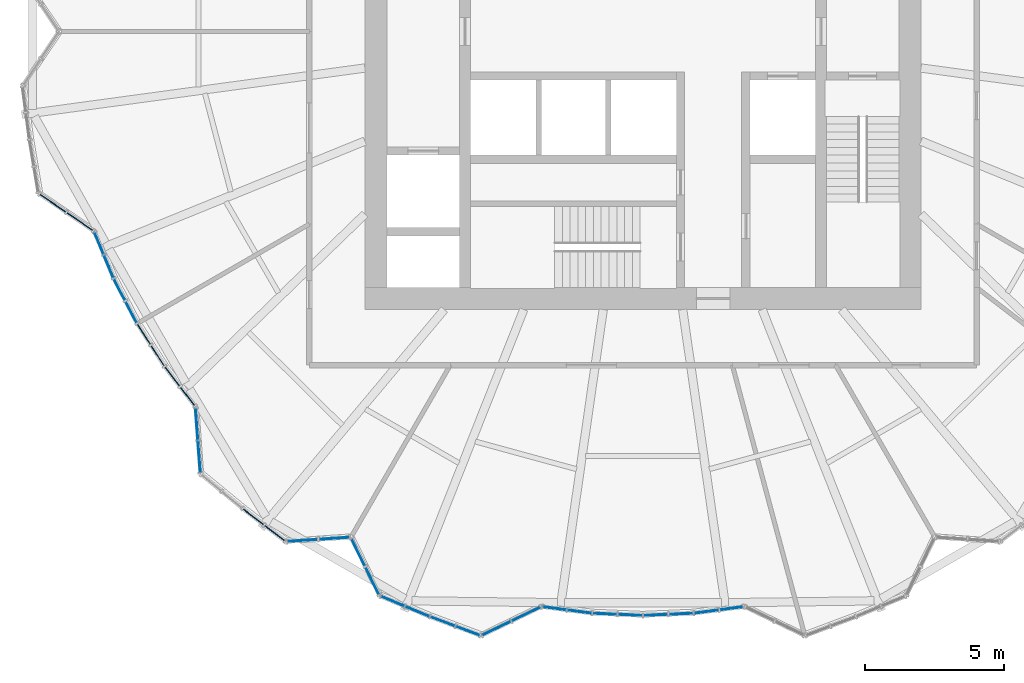
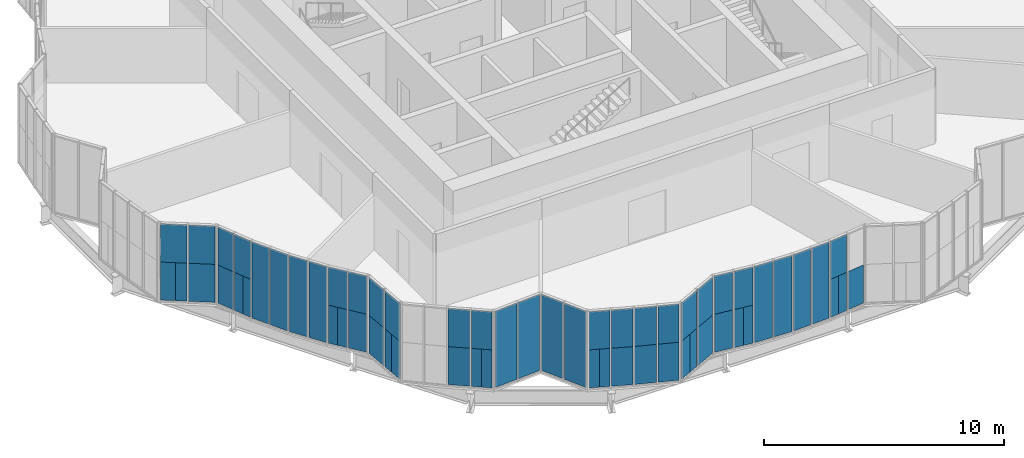
# One storey, part 12 of 22: 60 plates, 16 elements without a shape of their own.
"""IFC4 building model written with IfcOpenShell, lengths in metres."""

from ifc_helpers import new_model, si_unit, direction, frame, origin, origin_2d, place, context, subcontext, project, spatial, rectangle, extrude, material, layer, layer_set, type_object, element, aggregate, save


model = new_model("IFC4")

# Units and contexts
model_context = context("Model", 3, precision=1e-05, world=origin(), true_north=direction((0.0, 1.0)))
body_context = subcontext(model_context, "Body", "Model", "MODEL_VIEW")
ifc_project = project(units=[si_unit("LENGTHUNIT", "METRE"), si_unit("AREAUNIT", "SQUARE_METRE"), si_unit("VOLUMEUNIT", "CUBIC_METRE"), si_unit("PLANEANGLEUNIT", "RADIAN"), si_unit("MASSUNIT", "GRAM", prefix="KILO")], contexts=[model_context])

# Site, building, storey
site_placement = place(None, origin())
site = spatial("IfcSite", under=ifc_project, at=site_placement, CompositionType="ELEMENT")
building_placement = place(site_placement, origin())
building = spatial("IfcBuilding", under=site, at=building_placement, Name="Golbaran Civic Tower", CompositionType="ELEMENT")
storey_placement = place(building_placement, frame((0.0, 0.0, 29.0)))
storey = spatial("IfcBuildingStorey", under=building, at=storey_placement, Name="L06", CompositionType="ELEMENT", Elevation=29.0)

# Curtain wall, plate
ifc_material_1 = material(Name="Aluminium and glass", Category="aluminium")
curtain_wall_type = type_object("IfcCurtainWallType", Name="INNER SKIN CURTAIN WALL", PredefinedType="NOTDEFINED", material=ifc_material_1)
curtain_wall_1_placement = place(storey_placement, origin())
curtain_wall_1 = element("IfcCurtainWall", 1, at=curtain_wall_1_placement, inside=storey, type_object=curtain_wall_type, Name="Inner skin L06 facet 40 CW1", ObjectType="INNER SKIN", PredefinedType="USERDEFINED")
ifc_material_2 = material(Name="Clear insulating glass", Category="glass")
ifc_layer_1 = layer(ifc_material_2, 0.031982421875, Name="Clear insulating glass")
ifc_layer_set_1 = layer_set([ifc_layer_1], Name="Clear insulating glass")
plate_type_1 = type_object("IfcPlateType", Name="INNER SKIN CURTAIN WALL GLAZED PANEL", PredefinedType="CURTAIN_PANEL", material=ifc_layer_set_1)
plate_1_placement = place(storey_placement, frame((-21.427734375, -6.033447265625, 0.06494140625), z_axis=(0.0, 0.0, 1.0), x_axis=(0.826500245316, -0.562936359185, 0.0)))
plate_1 = element("IfcPlate", 2, at=plate_1_placement, type_object=plate_type_1, Name="CW1 panel 1.1 part 1", PredefinedType="CURTAIN_PANEL", context=body_context, shape_type="SweptSolid", body=[
    extrude(rectangle(XDim=0.614013671875, YDim=0.031982421875, at=origin_2d()), origin(), (0.0, 0.0, 1.0), 1.93505859375),
])

# Curtain wall, plates
curtain_wall_2_placement = place(storey_placement, origin())
curtain_wall_2 = element("IfcCurtainWall", 3, at=curtain_wall_2_placement, inside=storey, type_object=curtain_wall_type, Name="Inner skin L06 facet 41 CW1", ObjectType="INNER SKIN", PredefinedType="USERDEFINED")
plate_2_placement = place(storey_placement, frame((-19.130126953125, -8.652099609375, 0.06494140625), z_axis=(0.0, 0.0, 1.0), x_axis=(0.382683432462, -0.923879532471, 0.0)))
plate_2 = element("IfcPlate", 4, at=plate_2_placement, type_object=plate_type_1, Name="CW1 panel 2.1 part 2", PredefinedType="CURTAIN_PANEL", context=body_context, shape_type="SweptSolid", body=[
    extrude(rectangle(XDim=0.422119140625, YDim=0.031982421875, at=origin_2d()), origin(), (0.0, 0.0, 1.0), 1.93505859375),
])
plate_3_placement = place(storey_placement, frame((-19.21240234375, -8.453857421875, 2.0), z_axis=(0.0, 0.0, 1.0), x_axis=(0.382683432462, -0.923879532471, 0.0)))
plate_3 = element("IfcPlate", 5, at=plate_3_placement, type_object=plate_type_1, Name="CW1 panel 2.1 part 3", PredefinedType="CURTAIN_PANEL", context=body_context, shape_type="SweptSolid", body=[
    extrude(rectangle(XDim=0.851318359375, YDim=0.031982421875, at=origin_2d()), origin(), (0.0, 0.0, 1.0), 1.93505859375),
])

curtain_wall_3_placement = place(storey_placement, origin())
curtain_wall_3 = element("IfcCurtainWall", 6, at=curtain_wall_3_placement, inside=storey, type_object=curtain_wall_type, Name="Inner skin L06 facet 42 CW1", ObjectType="INNER SKIN", PredefinedType="USERDEFINED")
plate_4_placement = place(storey_placement, frame((-18.825439453125, -9.283447265625, 0.06494140625), z_axis=(0.0, 0.0, 1.0), x_axis=(0.461748613607, -0.887010832985, 0.0)))
plate_4 = element("IfcPlate", 7, at=plate_4_placement, type_object=plate_type_1, Name="CW1 panel 1.1", PredefinedType="CURTAIN_PANEL", context=body_context, shape_type="SweptSolid", body=[
    extrude(rectangle(XDim=0.851318359375, YDim=0.031982421875, at=origin_2d()), origin(), (0.0, 0.0, 1.0), 3.8701171875),
])
plate_5_placement = place(storey_placement, frame((-18.40234375, -10.09619140625, 0.06494140625), z_axis=(0.0, 0.0, 1.0), x_axis=(0.461748613607, -0.887010832985, 0.0)))
plate_5 = element("IfcPlate", 8, at=plate_5_placement, type_object=plate_type_1, Name="CW1 panel 2.1", PredefinedType="CURTAIN_PANEL", context=body_context, shape_type="SweptSolid", body=[
    extrude(rectangle(XDim=0.851318359375, YDim=0.031982421875, at=origin_2d()), origin(), (0.0, 0.0, 1.0), 3.8701171875),
])
aggregate(curtain_wall_3, [plate_4, plate_5])

curtain_wall_4_placement = place(storey_placement, origin())
curtain_wall_4 = element("IfcCurtainWall", 9, at=curtain_wall_4_placement, inside=storey, type_object=curtain_wall_type, Name="Inner skin L06 facet 43 CW1", ObjectType="INNER SKIN", PredefinedType="USERDEFINED")
plate_6_placement = place(storey_placement, frame((-17.94482421875, -10.888916015625, 0.06494140625), z_axis=(0.0, 0.0, 1.0), x_axis=(0.537299608155, -0.843391445935, 0.0)))
plate_6 = element("IfcPlate", 10, at=plate_6_placement, type_object=plate_type_1, Name="CW1 panel 1.1", PredefinedType="CURTAIN_PANEL", context=body_context, shape_type="SweptSolid", body=[
    extrude(rectangle(XDim=0.851318359375, YDim=0.031982421875, at=origin_2d()), origin(), (0.0, 0.0, 1.0), 3.8701171875),
])
plate_7_placement = place(storey_placement, frame((-17.452392578125, -11.66162109375, 0.06494140625), z_axis=(0.0, 0.0, 1.0), x_axis=(0.537299608155, -0.843391445935, 0.0)))
plate_7 = element("IfcPlate", 11, at=plate_7_placement, type_object=plate_type_1, Name="CW1 panel 2.1", PredefinedType="CURTAIN_PANEL", context=body_context, shape_type="SweptSolid", body=[
    extrude(rectangle(XDim=0.851318359375, YDim=0.031982421875, at=origin_2d()), origin(), (0.0, 0.0, 1.0), 3.8701171875),
])
aggregate(curtain_wall_4, [plate_6, plate_7])

curtain_wall_5_placement = place(storey_placement, origin())
curtain_wall_5 = element("IfcCurtainWall", 12, at=curtain_wall_5_placement, inside=storey, type_object=curtain_wall_type, Name="Inner skin L06 facet 44 CW1", ObjectType="INNER SKIN", PredefinedType="USERDEFINED")
plate_8_placement = place(storey_placement, frame((-17.05810546875, -12.2412109375, 0.06494140625), z_axis=(0.0, 0.0, 1.0), x_axis=(0.60876142905, -0.793353340259, 0.0)))
plate_8 = element("IfcPlate", 13, at=plate_8_placement, type_object=plate_type_1, Name="CW1 panel 1.1 part 1", PredefinedType="CURTAIN_PANEL", context=body_context, shape_type="SweptSolid", body=[
    extrude(rectangle(XDim=0.422119140625, YDim=0.031982421875, at=origin_2d()), origin(), (0.0, 0.0, 1.0), 1.93505859375),
])
plate_9_placement = place(storey_placement, frame((-16.927490234375, -12.411376953125, 2.0), z_axis=(0.0, 0.0, 1.0), x_axis=(0.60876142905, -0.793353340259, 0.0)))
plate_9 = element("IfcPlate", 14, at=plate_9_placement, type_object=plate_type_1, Name="CW1 panel 1.1 part 3", PredefinedType="CURTAIN_PANEL", context=body_context, shape_type="SweptSolid", body=[
    extrude(rectangle(XDim=0.851318359375, YDim=0.031982421875, at=origin_2d()), origin(), (0.0, 0.0, 1.0), 1.93505859375),
])

# Curtain wall, plate
curtain_wall_6_placement = place(storey_placement, origin())
curtain_wall_6 = element("IfcCurtainWall", 15, at=curtain_wall_6_placement, inside=storey, type_object=curtain_wall_type, Name="Inner skin L06 facet 45 CW1", ObjectType="INNER SKIN", PredefinedType="USERDEFINED")
plate_10_placement = place(storey_placement, frame((-15.93896484375, -15.5400390625, 0.06494140625), z_axis=(0.0, 0.0, 1.0), x_axis=(0.074267065092, -0.997238388272, 0.0)))
plate_10 = element("IfcPlate", 16, at=plate_10_placement, type_object=plate_type_1, Name="CW1 panel 2.1 part 2", PredefinedType="CURTAIN_PANEL", context=body_context, shape_type="SweptSolid", body=[
    extrude(rectangle(XDim=0.614501953125, YDim=0.031982421875, at=origin_2d()), origin(), (0.0, 0.0, 1.0), 1.93505859375),
])

# Curtain wall, plates
curtain_wall_7_placement = place(storey_placement, origin())
curtain_wall_7 = element("IfcCurtainWall", 17, at=curtain_wall_7_placement, inside=storey, type_object=curtain_wall_type, Name="Inner skin L06 facet 47 CW1", ObjectType="INNER SKIN", PredefinedType="USERDEFINED")
plate_11_placement = place(storey_placement, frame((-13.0751953125, -18.172119140625, 0.06494140625), z_axis=(0.0, 0.0, 1.0), x_axis=(0.793353340408, -0.608761428856, 0.0)))
plate_11 = element("IfcPlate", 18, at=plate_11_placement, type_object=plate_type_1, Name="CW1 panel 2.1 part 2", PredefinedType="CURTAIN_PANEL", context=body_context, shape_type="SweptSolid", body=[
    extrude(rectangle(XDim=0.445556640625, YDim=0.031982421875, at=origin_2d()), origin(), (0.0, 0.0, 1.0), 1.93505859375),
])
plate_12_placement = place(storey_placement, frame((-13.247314453125, -18.0400390625, 2.0), z_axis=(0.0, 0.0, 1.0), x_axis=(0.793353340408, -0.608761428856, 0.0)))
plate_12 = element("IfcPlate", 19, at=plate_12_placement, type_object=plate_type_1, Name="CW1 panel 2.1 part 3", PredefinedType="CURTAIN_PANEL", context=body_context, shape_type="SweptSolid", body=[
    extrude(rectangle(XDim=0.87939453125, YDim=0.031982421875, at=origin_2d()), origin(), (0.0, 0.0, 1.0), 1.93505859375),
])

curtain_wall_8_placement = place(storey_placement, origin())
curtain_wall_8 = element("IfcCurtainWall", 20, at=curtain_wall_8_placement, inside=storey, type_object=curtain_wall_type, Name="Inner skin L06 facet 48 CW1", ObjectType="INNER SKIN", PredefinedType="USERDEFINED")
plate_13_placement = place(storey_placement, frame((-12.24462890625, -18.30712890625, 0.06494140625), z_axis=(0.0, 0.0, 1.0), x_axis=(0.99777932909, 0.066606384387, 0.0)))
plate_13 = element("IfcPlate", 21, at=plate_13_placement, type_object=plate_type_1, Name="CW1 panel 1.1", PredefinedType="CURTAIN_PANEL", context=body_context, shape_type="SweptSolid", body=[
    extrude(rectangle(XDim=1.077392578125, YDim=0.031982421875, at=origin_2d()), origin(), (0.0, 0.0, 1.0), 3.8701171875),
])
plate_14_placement = place(storey_placement, frame((-11.104736328125, -18.23095703125, 0.06494140625), z_axis=(0.0, 0.0, 1.0), x_axis=(0.99777932909, 0.066606384387, 0.0)))
plate_14 = element("IfcPlate", 22, at=plate_14_placement, type_object=plate_type_1, Name="CW1 panel 2.1", PredefinedType="CURTAIN_PANEL", context=body_context, shape_type="SweptSolid", body=[
    extrude(rectangle(XDim=1.077392578125, YDim=0.031982421875, at=origin_2d()), origin(), (0.0, 0.0, 1.0), 3.8701171875),
])
aggregate(curtain_wall_8, [plate_13, plate_14])

curtain_wall_9_placement = place(storey_placement, origin())
curtain_wall_9 = element("IfcCurtainWall", 23, at=curtain_wall_9_placement, inside=storey, type_object=curtain_wall_type, Name="Inner skin L06 facet 49 CW1", ObjectType="INNER SKIN", PredefinedType="USERDEFINED")
plate_15_placement = place(storey_placement, frame((-10.236083984375, -18.732666015625, 0.06494140625), z_axis=(0.0, 0.0, 1.0), x_axis=(0.441206843893, -0.897405438418, 0.0)))
plate_15 = element("IfcPlate", 24, at=plate_15_placement, type_object=plate_type_1, Name="CW1 panel 1.1", PredefinedType="CURTAIN_PANEL", context=body_context, shape_type="SweptSolid", body=[
    extrude(rectangle(XDim=1.077392578125, YDim=0.031982421875, at=origin_2d()), origin(), (0.0, 0.0, 1.0), 3.8701171875),
])
plate_16_placement = place(storey_placement, frame((-9.732177734375, -19.7578125, 0.06494140625), z_axis=(0.0, 0.0, 1.0), x_axis=(0.441206843893, -0.897405438418, 0.0)))
plate_16 = element("IfcPlate", 25, at=plate_16_placement, type_object=plate_type_1, Name="CW1 panel 2.1", PredefinedType="CURTAIN_PANEL", context=body_context, shape_type="SweptSolid", body=[
    extrude(rectangle(XDim=1.077392578125, YDim=0.031982421875, at=origin_2d()), origin(), (0.0, 0.0, 1.0), 3.8701171875),
])
aggregate(curtain_wall_9, [plate_15, plate_16])

curtain_wall_10_placement = place(storey_placement, origin())
curtain_wall_10 = element("IfcCurtainWall", 26, at=curtain_wall_10_placement, inside=storey, type_object=curtain_wall_type, Name="Inner skin L06 facet 50 CW1", ObjectType="INNER SKIN", PredefinedType="USERDEFINED")
plate_17_placement = place(storey_placement, frame((-9.2001953125, -20.409423828125, 0.06494140625), z_axis=(0.0, 0.0, 1.0), x_axis=(0.923879532551, -0.382683432268, 0.0)))
plate_17 = element("IfcPlate", 27, at=plate_17_placement, type_object=plate_type_1, Name="CW1 panel 1.1 part 1", PredefinedType="CURTAIN_PANEL", context=body_context, shape_type="SweptSolid", body=[
    extrude(rectangle(XDim=0.445068359375, YDim=0.031982421875, at=origin_2d()), origin(), (0.0, 0.0, 1.0), 1.93505859375),
])
plate_18_placement = place(storey_placement, frame((-8.99951171875, -20.49267578125, 2.0), z_axis=(0.0, 0.0, 1.0), x_axis=(0.923879532551, -0.382683432268, 0.0)))
plate_18 = element("IfcPlate", 28, at=plate_18_placement, type_object=plate_type_1, Name="CW1 panel 1.1 part 3", PredefinedType="CURTAIN_PANEL", context=body_context, shape_type="SweptSolid", body=[
    extrude(rectangle(XDim=0.87939453125, YDim=0.031982421875, at=origin_2d()), origin(), (0.0, 0.0, 1.0), 1.93505859375),
])

# Curtain wall, plate
curtain_wall_11_placement = place(storey_placement, origin())
curtain_wall_11 = element("IfcCurtainWall", 29, at=curtain_wall_11_placement, inside=storey, type_object=curtain_wall_type, Name="Inner skin L06 facet 51 CW1", ObjectType="INNER SKIN", PredefinedType="USERDEFINED")
plate_19_placement = place(storey_placement, frame((-6.29833984375, -21.5576171875, 0.06494140625), z_axis=(0.0, 0.0, 1.0), x_axis=(0.936447347079, -0.350808161461, 0.0)))
plate_19 = element("IfcPlate", 30, at=plate_19_placement, type_object=plate_type_1, Name="CW1 panel 2.1 part 1", PredefinedType="CURTAIN_PANEL", context=body_context, shape_type="SweptSolid", body=[
    extrude(rectangle(XDim=0.883056640625, YDim=0.031982421875, at=origin_2d()), origin(), (0.0, 0.0, 1.0), 1.93505859375),
])

curtain_wall_12_placement = place(storey_placement, origin())
curtain_wall_12 = element("IfcCurtainWall", 31, at=curtain_wall_12_placement, inside=storey, type_object=curtain_wall_type, Name="Inner skin L06 facet 52 CW1", ObjectType="INNER SKIN", PredefinedType="USERDEFINED")
plate_20_placement = place(storey_placement, frame((-5.48876953125, -21.57373046875, 0.06494140625), z_axis=(0.0, 0.0, 1.0), x_axis=(0.900767310343, 0.434302029259, 0.0)))
plate_20 = element("IfcPlate", 32, at=plate_20_placement, type_object=plate_type_1, Name="CW1 panel 1.1 part 1", PredefinedType="CURTAIN_PANEL", context=body_context, shape_type="SweptSolid", body=[
    extrude(rectangle(XDim=0.614013671875, YDim=0.031982421875, at=origin_2d()), origin(), (0.0, 0.0, 1.0), 1.93505859375),
])

# Curtain wall, plates
curtain_wall_13_placement = place(storey_placement, origin())
curtain_wall_13 = element("IfcCurtainWall", 33, at=curtain_wall_13_placement, inside=storey, type_object=curtain_wall_type, Name="Inner skin L06 facet 53 CW1", ObjectType="INNER SKIN", PredefinedType="USERDEFINED")
plate_21_placement = place(storey_placement, frame((-2.072265625, -20.893310546875, 0.06494140625), z_axis=(0.0, 0.0, 1.0), x_axis=(0.991444861406, -0.130526191978, 0.0)))
plate_21 = element("IfcPlate", 34, at=plate_21_placement, type_object=plate_type_1, Name="CW1 panel 2.1 part 2", PredefinedType="CURTAIN_PANEL", context=body_context, shape_type="SweptSolid", body=[
    extrude(rectangle(XDim=0.422119140625, YDim=0.031982421875, at=origin_2d()), origin(), (0.0, 0.0, 1.0), 1.93505859375),
])
plate_22_placement = place(storey_placement, frame((-2.284912109375, -20.865234375, 2.0), z_axis=(0.0, 0.0, 1.0), x_axis=(0.991444861406, -0.130526191978, 0.0)))
plate_22 = element("IfcPlate", 35, at=plate_22_placement, type_object=plate_type_1, Name="CW1 panel 2.1 part 3", PredefinedType="CURTAIN_PANEL", context=body_context, shape_type="SweptSolid", body=[
    extrude(rectangle(XDim=0.851318359375, YDim=0.031982421875, at=origin_2d()), origin(), (0.0, 0.0, 1.0), 1.93505859375),
])

curtain_wall_14_placement = place(storey_placement, origin())
curtain_wall_14 = element("IfcCurtainWall", 36, at=curtain_wall_14_placement, inside=storey, type_object=curtain_wall_type, Name="Inner skin L06 facet 54 CW1", ObjectType="INNER SKIN", PredefinedType="USERDEFINED")
plate_23_placement = place(storey_placement, frame((-1.373046875, -20.945068359375, 0.06494140625), z_axis=(0.0, 0.0, 1.0), x_axis=(0.999048221571, -0.043619387609, 0.0)))
plate_23 = element("IfcPlate", 37, at=plate_23_placement, type_object=plate_type_1, Name="CW1 panel 1.1", PredefinedType="CURTAIN_PANEL", context=body_context, shape_type="SweptSolid", body=[
    extrude(rectangle(XDim=0.851318359375, YDim=0.031982421875, at=origin_2d()), origin(), (0.0, 0.0, 1.0), 3.8701171875),
])
plate_24_placement = place(storey_placement, frame((-0.457763671875, -20.985107421875, 0.06494140625), z_axis=(0.0, 0.0, 1.0), x_axis=(0.999048221571, -0.043619387609, 0.0)))
plate_24 = element("IfcPlate", 38, at=plate_24_placement, type_object=plate_type_1, Name="CW1 panel 2.1", PredefinedType="CURTAIN_PANEL", context=body_context, shape_type="SweptSolid", body=[
    extrude(rectangle(XDim=0.851318359375, YDim=0.031982421875, at=origin_2d()), origin(), (0.0, 0.0, 1.0), 3.8701171875),
])
aggregate(curtain_wall_14, [plate_23, plate_24])

curtain_wall_15_placement = place(storey_placement, origin())
curtain_wall_15 = element("IfcCurtainWall", 39, at=curtain_wall_15_placement, inside=storey, type_object=curtain_wall_type, Name="Inner skin L06 facet 55 CW1", ObjectType="INNER SKIN", PredefinedType="USERDEFINED")
plate_25_placement = place(storey_placement, frame((0.457763671875, -20.985107421875, 0.06494140625), z_axis=(0.0, 0.0, 1.0), x_axis=(0.999048221571, 0.043619387609, 0.0)))
plate_25 = element("IfcPlate", 40, at=plate_25_placement, type_object=plate_type_1, Name="CW1 panel 1.1", PredefinedType="CURTAIN_PANEL", context=body_context, shape_type="SweptSolid", body=[
    extrude(rectangle(XDim=0.851318359375, YDim=0.031982421875, at=origin_2d()), origin(), (0.0, 0.0, 1.0), 3.8701171875),
])
plate_26_placement = place(storey_placement, frame((1.373046875, -20.945068359375, 0.06494140625), z_axis=(0.0, 0.0, 1.0), x_axis=(0.999048221571, 0.043619387609, 0.0)))
plate_26 = element("IfcPlate", 41, at=plate_26_placement, type_object=plate_type_1, Name="CW1 panel 2.1", PredefinedType="CURTAIN_PANEL", context=body_context, shape_type="SweptSolid", body=[
    extrude(rectangle(XDim=0.851318359375, YDim=0.031982421875, at=origin_2d()), origin(), (0.0, 0.0, 1.0), 3.8701171875),
])
aggregate(curtain_wall_15, [plate_25, plate_26])

curtain_wall_16_placement = place(storey_placement, origin())
curtain_wall_16 = element("IfcCurtainWall", 42, at=curtain_wall_16_placement, inside=storey, type_object=curtain_wall_type, Name="Inner skin L06 facet 56 CW1", ObjectType="INNER SKIN", PredefinedType="USERDEFINED")
plate_27_placement = place(storey_placement, frame((2.072021484375, -20.893310546875, 0.06494140625), z_axis=(0.0, 0.0, 1.0), x_axis=(0.991444861406, 0.130526191978, 0.0)))
plate_27 = element("IfcPlate", 43, at=plate_27_placement, type_object=plate_type_1, Name="CW1 panel 1.1 part 1", PredefinedType="CURTAIN_PANEL", context=body_context, shape_type="SweptSolid", body=[
    extrude(rectangle(XDim=0.422119140625, YDim=0.031982421875, at=origin_2d()), origin(), (0.0, 0.0, 1.0), 1.93505859375),
])
plate_28_placement = place(storey_placement, frame((2.284912109375, -20.865234375, 2.0), z_axis=(0.0, 0.0, 1.0), x_axis=(0.991444861406, 0.130526191978, 0.0)))
plate_28 = element("IfcPlate", 44, at=plate_28_placement, type_object=plate_type_1, Name="CW1 panel 1.1 part 3", PredefinedType="CURTAIN_PANEL", context=body_context, shape_type="SweptSolid", body=[
    extrude(rectangle(XDim=0.851318359375, YDim=0.031982421875, at=origin_2d()), origin(), (0.0, 0.0, 1.0), 1.93505859375),
])

# Plate
ifc_material_3 = material(Name="Aluminium faced opaque infill panel", Category="aluminium")
ifc_layer_2 = layer(ifc_material_3, 0.031982421875, Name="Aluminium faced opaque infill panel")
ifc_layer_set_2 = layer_set([ifc_layer_2], Name="Aluminium faced opaque infill panel")
plate_type_2 = type_object("IfcPlateType", Name="INNER SKIN CURTAIN WALL OPAQUE INFILL PANEL", PredefinedType="CURTAIN_PANEL", material=ifc_layer_set_2)
plate_29_placement = place(storey_placement, frame((-20.96875, -6.345947265625, 0.06494140625), z_axis=(0.0, 0.0, 1.0), x_axis=(0.826500245316, -0.562936359185, 0.0)))
plate_29 = element("IfcPlate", 45, at=plate_29_placement, type_object=plate_type_2, Name="CW1 infill panel 1.1 part 2", PredefinedType="CURTAIN_PANEL", context=body_context, shape_type="SweptSolid", body=[
    extrude(rectangle(XDim=0.49658203125, YDim=0.031982421875, at=origin_2d()), origin(), (0.0, 0.0, 1.0), 1.93505859375),
])

plate_30_placement = place(storey_placement, frame((-21.22265625, -6.173095703125, 2.0), z_axis=(0.0, 0.0, 1.0), x_axis=(0.826500245316, -0.562936359185, 0.0)))
plate_30 = element("IfcPlate", 46, at=plate_30_placement, type_object=plate_type_2, Name="CW1 infill panel 1.1 part 3", PredefinedType="CURTAIN_PANEL", context=body_context, shape_type="SweptSolid", body=[
    extrude(rectangle(XDim=1.110595703125, YDim=0.031982421875, at=origin_2d()), origin(), (0.0, 0.0, 1.0), 1.93505859375),
])

plate_31_placement = place(storey_placement, frame((-20.2509765625, -6.8349609375, 0.06494140625), z_axis=(0.0, 0.0, 1.0), x_axis=(0.826500245316, -0.562936359185, 0.0)))
plate_31 = element("IfcPlate", 47, at=plate_31_placement, type_object=plate_type_2, Name="CW1 infill panel 2.1 part 1", PredefinedType="CURTAIN_PANEL", context=body_context, shape_type="SweptSolid", body=[
    extrude(rectangle(XDim=1.110595703125, YDim=0.031982421875, at=origin_2d()), origin(), (0.0, 0.0, 1.0), 1.93505859375),
])

plate_32_placement = place(storey_placement, frame((-20.2509765625, -6.8349609375, 2.0), z_axis=(0.0, 0.0, 1.0), x_axis=(0.826500245316, -0.562936359185, 0.0)))
plate_32 = element("IfcPlate", 48, at=plate_32_placement, type_object=plate_type_2, Name="CW1 infill panel 2.1 part 2", PredefinedType="CURTAIN_PANEL", context=body_context, shape_type="SweptSolid", body=[
    extrude(rectangle(XDim=1.110595703125, YDim=0.031982421875, at=origin_2d()), origin(), (0.0, 0.0, 1.0), 1.93505859375),
])

aggregate(curtain_wall_1, [plate_1, plate_29, plate_30, plate_31, plate_32])

plate_33_placement = place(storey_placement, frame((-19.556640625, -7.622314453125, 0.06494140625), z_axis=(0.0, 0.0, 1.0), x_axis=(0.382683432462, -0.923879532471, 0.0)))
plate_33 = element("IfcPlate", 49, at=plate_33_placement, type_object=plate_type_2, Name="CW1 infill panel 1.1 part 1", PredefinedType="CURTAIN_PANEL", context=body_context, shape_type="SweptSolid", body=[
    extrude(rectangle(XDim=0.818603515625, YDim=0.031982421875, at=origin_2d()), origin(), (0.0, 0.0, 1.0), 1.93505859375),
])

plate_34_placement = place(storey_placement, frame((-19.556640625, -7.622314453125, 2.0), z_axis=(0.0, 0.0, 1.0), x_axis=(0.382683432462, -0.923879532471, 0.0)))
plate_34 = element("IfcPlate", 50, at=plate_34_placement, type_object=plate_type_2, Name="CW1 infill panel 1.1 part 2", PredefinedType="CURTAIN_PANEL", context=body_context, shape_type="SweptSolid", body=[
    extrude(rectangle(XDim=0.818603515625, YDim=0.031982421875, at=origin_2d()), origin(), (0.0, 0.0, 1.0), 1.93505859375),
])

plate_35_placement = place(storey_placement, frame((-19.293212890625, -8.2587890625, 0.06494140625), z_axis=(0.0, 0.0, 1.0), x_axis=(0.382683432462, -0.923879532471, 0.0)))
plate_35 = element("IfcPlate", 51, at=plate_35_placement, type_object=plate_type_2, Name="CW1 infill panel 2.1 part 1", PredefinedType="CURTAIN_PANEL", context=body_context, shape_type="SweptSolid", body=[
    extrude(rectangle(XDim=0.428955078125, YDim=0.031982421875, at=origin_2d()), origin(), (0.0, 0.0, 1.0), 1.93505859375),
])

aggregate(curtain_wall_2, [plate_33, plate_34, plate_35, plate_2, plate_3])

plate_36_placement = place(storey_placement, frame((-16.799072265625, -12.578857421875, 0.06494140625), z_axis=(0.0, 0.0, 1.0), x_axis=(0.60876142905, -0.793353340259, 0.0)))
plate_36 = element("IfcPlate", 52, at=plate_36_placement, type_object=plate_type_2, Name="CW1 infill panel 1.1 part 2", PredefinedType="CURTAIN_PANEL", context=body_context, shape_type="SweptSolid", body=[
    extrude(rectangle(XDim=0.42919921875, YDim=0.031982421875, at=origin_2d()), origin(), (0.0, 0.0, 1.0), 1.93505859375),
])

plate_37_placement = place(storey_placement, frame((-16.379638671875, -13.12548828125, 0.06494140625), z_axis=(0.0, 0.0, 1.0), x_axis=(0.60876142905, -0.793353340259, 0.0)))
plate_37 = element("IfcPlate", 53, at=plate_37_placement, type_object=plate_type_2, Name="CW1 infill panel 2.1 part 1", PredefinedType="CURTAIN_PANEL", context=body_context, shape_type="SweptSolid", body=[
    extrude(rectangle(XDim=0.818603515625, YDim=0.031982421875, at=origin_2d()), origin(), (0.0, 0.0, 1.0), 1.93505859375),
])

plate_38_placement = place(storey_placement, frame((-16.379638671875, -13.12548828125, 2.0), z_axis=(0.0, 0.0, 1.0), x_axis=(0.60876142905, -0.793353340259, 0.0)))
plate_38 = element("IfcPlate", 54, at=plate_38_placement, type_object=plate_type_2, Name="CW1 infill panel 2.1 part 2", PredefinedType="CURTAIN_PANEL", context=body_context, shape_type="SweptSolid", body=[
    extrude(rectangle(XDim=0.818603515625, YDim=0.031982421875, at=origin_2d()), origin(), (0.0, 0.0, 1.0), 1.93505859375),
])

aggregate(curtain_wall_5, [plate_8, plate_36, plate_9, plate_37, plate_38])

plate_39_placement = place(storey_placement, frame((-16.044677734375, -14.120361328125, 0.06494140625), z_axis=(0.0, 0.0, 1.0), x_axis=(0.074267065092, -0.997238388272, 0.0)))
plate_39 = element("IfcPlate", 55, at=plate_39_placement, type_object=plate_type_2, Name="CW1 infill panel 1.1 part 1", PredefinedType="CURTAIN_PANEL", context=body_context, shape_type="SweptSolid", body=[
    extrude(rectangle(XDim=1.110595703125, YDim=0.031982421875, at=origin_2d()), origin(), (0.0, 0.0, 1.0), 1.93505859375),
])

plate_40_placement = place(storey_placement, frame((-16.044677734375, -14.120361328125, 2.0), z_axis=(0.0, 0.0, 1.0), x_axis=(0.074267065092, -0.997238388272, 0.0)))
plate_40 = element("IfcPlate", 56, at=plate_40_placement, type_object=plate_type_2, Name="CW1 infill panel 1.1 part 2", PredefinedType="CURTAIN_PANEL", context=body_context, shape_type="SweptSolid", body=[
    extrude(rectangle(XDim=1.110595703125, YDim=0.031982421875, at=origin_2d()), origin(), (0.0, 0.0, 1.0), 1.93505859375),
])

plate_41_placement = place(storey_placement, frame((-15.980224609375, -14.986328125, 0.06494140625), z_axis=(0.0, 0.0, 1.0), x_axis=(0.074267065092, -0.997238388272, 0.0)))
plate_41 = element("IfcPlate", 57, at=plate_41_placement, type_object=plate_type_2, Name="CW1 infill panel 2.1 part 1", PredefinedType="CURTAIN_PANEL", context=body_context, shape_type="SweptSolid", body=[
    extrude(rectangle(XDim=0.49609375, YDim=0.031982421875, at=origin_2d()), origin(), (0.0, 0.0, 1.0), 1.93505859375),
])

plate_42_placement = place(storey_placement, frame((-15.957275390625, -15.292724609375, 2.0), z_axis=(0.0, 0.0, 1.0), x_axis=(0.074267065092, -0.997238388272, 0.0)))
plate_42 = element("IfcPlate", 58, at=plate_42_placement, type_object=plate_type_2, Name="CW1 infill panel 2.1 part 3", PredefinedType="CURTAIN_PANEL", context=body_context, shape_type="SweptSolid", body=[
    extrude(rectangle(XDim=1.110595703125, YDim=0.031982421875, at=origin_2d()), origin(), (0.0, 0.0, 1.0), 1.93505859375),
])

aggregate(curtain_wall_6, [plate_39, plate_40, plate_41, plate_10, plate_42])

plate_43_placement = place(storey_placement, frame((-14.009521484375, -17.455322265625, 0.06494140625), z_axis=(0.0, 0.0, 1.0), x_axis=(0.793353340408, -0.608761428856, 0.0)))
plate_43 = element("IfcPlate", 59, at=plate_43_placement, type_object=plate_type_2, Name="CW1 infill panel 1.1 part 1", PredefinedType="CURTAIN_PANEL", context=body_context, shape_type="SweptSolid", body=[
    extrude(rectangle(XDim=0.911865234375, YDim=0.031982421875, at=origin_2d()), origin(), (0.0, 0.0, 1.0), 1.93505859375),
])

plate_44_placement = place(storey_placement, frame((-14.009521484375, -17.455322265625, 2.0), z_axis=(0.0, 0.0, 1.0), x_axis=(0.793353340408, -0.608761428856, 0.0)))
plate_44 = element("IfcPlate", 60, at=plate_44_placement, type_object=plate_type_2, Name="CW1 infill panel 1.1 part 2", PredefinedType="CURTAIN_PANEL", context=body_context, shape_type="SweptSolid", body=[
    extrude(rectangle(XDim=0.911865234375, YDim=0.031982421875, at=origin_2d()), origin(), (0.0, 0.0, 1.0), 1.93505859375),
])

plate_45_placement = place(storey_placement, frame((-13.424072265625, -17.904541015625, 0.06494140625), z_axis=(0.0, 0.0, 1.0), x_axis=(0.793353340408, -0.608761428856, 0.0)))
plate_45 = element("IfcPlate", 61, at=plate_45_placement, type_object=plate_type_2, Name="CW1 infill panel 2.1 part 1", PredefinedType="CURTAIN_PANEL", context=body_context, shape_type="SweptSolid", body=[
    extrude(rectangle(XDim=0.43408203125, YDim=0.031982421875, at=origin_2d()), origin(), (0.0, 0.0, 1.0), 1.93505859375),
])

aggregate(curtain_wall_7, [plate_43, plate_44, plate_45, plate_11, plate_12])

plate_46_placement = place(storey_placement, frame((-8.7939453125, -20.577880859375, 0.06494140625), z_axis=(0.0, 0.0, 1.0), x_axis=(0.923879532551, -0.382683432268, 0.0)))
plate_46 = element("IfcPlate", 62, at=plate_46_placement, type_object=plate_type_2, Name="CW1 infill panel 1.1 part 2", PredefinedType="CURTAIN_PANEL", context=body_context, shape_type="SweptSolid", body=[
    extrude(rectangle(XDim=0.4345703125, YDim=0.031982421875, at=origin_2d()), origin(), (0.0, 0.0, 1.0), 1.93505859375),
])

plate_47_placement = place(storey_placement, frame((-8.11181640625, -20.8603515625, 0.06494140625), z_axis=(0.0, 0.0, 1.0), x_axis=(0.923879532551, -0.382683432268, 0.0)))
plate_47 = element("IfcPlate", 63, at=plate_47_placement, type_object=plate_type_2, Name="CW1 infill panel 2.1 part 1", PredefinedType="CURTAIN_PANEL", context=body_context, shape_type="SweptSolid", body=[
    extrude(rectangle(XDim=0.911865234375, YDim=0.031982421875, at=origin_2d()), origin(), (0.0, 0.0, 1.0), 1.93505859375),
])

plate_48_placement = place(storey_placement, frame((-8.11181640625, -20.8603515625, 2.0), z_axis=(0.0, 0.0, 1.0), x_axis=(0.923879532551, -0.382683432268, 0.0)))
plate_48 = element("IfcPlate", 64, at=plate_48_placement, type_object=plate_type_2, Name="CW1 infill panel 2.1 part 2", PredefinedType="CURTAIN_PANEL", context=body_context, shape_type="SweptSolid", body=[
    extrude(rectangle(XDim=0.911865234375, YDim=0.031982421875, at=origin_2d()), origin(), (0.0, 0.0, 1.0), 1.93505859375),
])

aggregate(curtain_wall_10, [plate_17, plate_46, plate_18, plate_47, plate_48])

plate_49_placement = place(storey_placement, frame((-7.201416015625, -21.21923828125, 0.06494140625), z_axis=(0.0, 0.0, 1.0), x_axis=(0.936447347079, -0.350808161461, 0.0)))
plate_49 = element("IfcPlate", 65, at=plate_49_placement, type_object=plate_type_2, Name="CW1 infill panel 1.1 part 1", PredefinedType="CURTAIN_PANEL", context=body_context, shape_type="SweptSolid", body=[
    extrude(rectangle(XDim=0.91552734375, YDim=0.031982421875, at=origin_2d()), origin(), (0.0, 0.0, 1.0), 1.93505859375),
])

plate_50_placement = place(storey_placement, frame((-7.201416015625, -21.21923828125, 2.0), z_axis=(0.0, 0.0, 1.0), x_axis=(0.936447347079, -0.350808161461, 0.0)))
plate_50 = element("IfcPlate", 66, at=plate_50_placement, type_object=plate_type_2, Name="CW1 infill panel 1.1 part 2", PredefinedType="CURTAIN_PANEL", context=body_context, shape_type="SweptSolid", body=[
    extrude(rectangle(XDim=0.91552734375, YDim=0.031982421875, at=origin_2d()), origin(), (0.0, 0.0, 1.0), 1.93505859375),
])

plate_51_placement = place(storey_placement, frame((-6.29833984375, -21.5576171875, 2.0), z_axis=(0.0, 0.0, 1.0), x_axis=(0.936447347079, -0.350808161461, 0.0)))
plate_51 = element("IfcPlate", 67, at=plate_51_placement, type_object=plate_type_2, Name="CW1 infill panel 2.1 part 2", PredefinedType="CURTAIN_PANEL", context=body_context, shape_type="SweptSolid", body=[
    extrude(rectangle(XDim=0.883056640625, YDim=0.031982421875, at=origin_2d()), origin(), (0.0, 0.0, 1.0), 1.93505859375),
])

aggregate(curtain_wall_11, [plate_49, plate_50, plate_19, plate_51])

plate_52_placement = place(storey_placement, frame((-4.98876953125, -21.33251953125, 0.06494140625), z_axis=(0.0, 0.0, 1.0), x_axis=(0.900767310343, 0.434302029259, 0.0)))
plate_52 = element("IfcPlate", 68, at=plate_52_placement, type_object=plate_type_2, Name="CW1 infill panel 1.1 part 2", PredefinedType="CURTAIN_PANEL", context=body_context, shape_type="SweptSolid", body=[
    extrude(rectangle(XDim=0.49658203125, YDim=0.031982421875, at=origin_2d()), origin(), (0.0, 0.0, 1.0), 1.93505859375),
])

plate_53_placement = place(storey_placement, frame((-5.26513671875, -21.4658203125, 2.0), z_axis=(0.0, 0.0, 1.0), x_axis=(0.900767310343, 0.434302029259, 0.0)))
plate_53 = element("IfcPlate", 69, at=plate_53_placement, type_object=plate_type_2, Name="CW1 infill panel 1.1 part 3", PredefinedType="CURTAIN_PANEL", context=body_context, shape_type="SweptSolid", body=[
    extrude(rectangle(XDim=1.110595703125, YDim=0.031982421875, at=origin_2d()), origin(), (0.0, 0.0, 1.0), 1.93505859375),
])

plate_54_placement = place(storey_placement, frame((-4.206298828125, -20.955322265625, 0.06494140625), z_axis=(0.0, 0.0, 1.0), x_axis=(0.900767310343, 0.434302029259, 0.0)))
plate_54 = element("IfcPlate", 70, at=plate_54_placement, type_object=plate_type_2, Name="CW1 infill panel 2.1 part 1", PredefinedType="CURTAIN_PANEL", context=body_context, shape_type="SweptSolid", body=[
    extrude(rectangle(XDim=1.110595703125, YDim=0.031982421875, at=origin_2d()), origin(), (0.0, 0.0, 1.0), 1.93505859375),
])

plate_55_placement = place(storey_placement, frame((-4.206298828125, -20.955322265625, 2.0), z_axis=(0.0, 0.0, 1.0), x_axis=(0.900767310343, 0.434302029259, 0.0)))
plate_55 = element("IfcPlate", 71, at=plate_55_placement, type_object=plate_type_2, Name="CW1 infill panel 2.1 part 2", PredefinedType="CURTAIN_PANEL", context=body_context, shape_type="SweptSolid", body=[
    extrude(rectangle(XDim=1.110595703125, YDim=0.031982421875, at=origin_2d()), origin(), (0.0, 0.0, 1.0), 1.93505859375),
])

aggregate(curtain_wall_12, [plate_20, plate_52, plate_53, plate_54, plate_55])

plate_56_placement = place(storey_placement, frame((-3.17724609375, -20.747802734375, 0.06494140625), z_axis=(0.0, 0.0, 1.0), x_axis=(0.991444861406, -0.130526191978, 0.0)))
plate_56 = element("IfcPlate", 72, at=plate_56_placement, type_object=plate_type_2, Name="CW1 infill panel 1.1 part 1", PredefinedType="CURTAIN_PANEL", context=body_context, shape_type="SweptSolid", body=[
    extrude(rectangle(XDim=0.818603515625, YDim=0.031982421875, at=origin_2d()), origin(), (0.0, 0.0, 1.0), 1.93505859375),
])

plate_57_placement = place(storey_placement, frame((-3.17724609375, -20.747802734375, 2.0), z_axis=(0.0, 0.0, 1.0), x_axis=(0.991444861406, -0.130526191978, 0.0)))
plate_57 = element("IfcPlate", 73, at=plate_57_placement, type_object=plate_type_2, Name="CW1 infill panel 1.1 part 2", PredefinedType="CURTAIN_PANEL", context=body_context, shape_type="SweptSolid", body=[
    extrude(rectangle(XDim=0.818603515625, YDim=0.031982421875, at=origin_2d()), origin(), (0.0, 0.0, 1.0), 1.93505859375),
])

plate_58_placement = place(storey_placement, frame((-2.494140625, -20.837646484375, 0.06494140625), z_axis=(0.0, 0.0, 1.0), x_axis=(0.991444861406, -0.130526191978, 0.0)))
plate_58 = element("IfcPlate", 74, at=plate_58_placement, type_object=plate_type_2, Name="CW1 infill panel 2.1 part 1", PredefinedType="CURTAIN_PANEL", context=body_context, shape_type="SweptSolid", body=[
    extrude(rectangle(XDim=0.428955078125, YDim=0.031982421875, at=origin_2d()), origin(), (0.0, 0.0, 1.0), 1.93505859375),
])

aggregate(curtain_wall_13, [plate_56, plate_57, plate_58, plate_21, plate_22])

plate_59_placement = place(storey_placement, frame((2.494140625, -20.837646484375, 0.06494140625), z_axis=(0.0, 0.0, 1.0), x_axis=(0.991444861406, 0.130526191978, 0.0)))
plate_59 = element("IfcPlate", 75, at=plate_59_placement, type_object=plate_type_2, Name="CW1 infill panel 1.1 part 2", PredefinedType="CURTAIN_PANEL", context=body_context, shape_type="SweptSolid", body=[
    extrude(rectangle(XDim=0.42919921875, YDim=0.031982421875, at=origin_2d()), origin(), (0.0, 0.0, 1.0), 1.93505859375),
])

plate_60_placement = place(storey_placement, frame((3.17724609375, -20.747802734375, 0.06494140625), z_axis=(0.0, 0.0, 1.0), x_axis=(0.991444861406, 0.130526191978, 0.0)))
plate_60 = element("IfcPlate", 76, at=plate_60_placement, type_object=plate_type_2, Name="CW1 infill panel 2.1 part 1", PredefinedType="CURTAIN_PANEL", context=body_context, shape_type="SweptSolid", body=[
    extrude(rectangle(XDim=0.818603515625, YDim=0.031982421875, at=origin_2d()), origin(), (0.0, 0.0, 1.0), 1.93505859375),
])

aggregate(curtain_wall_16, [plate_27, plate_59, plate_28, plate_60])

save(model, "model.ifc")
